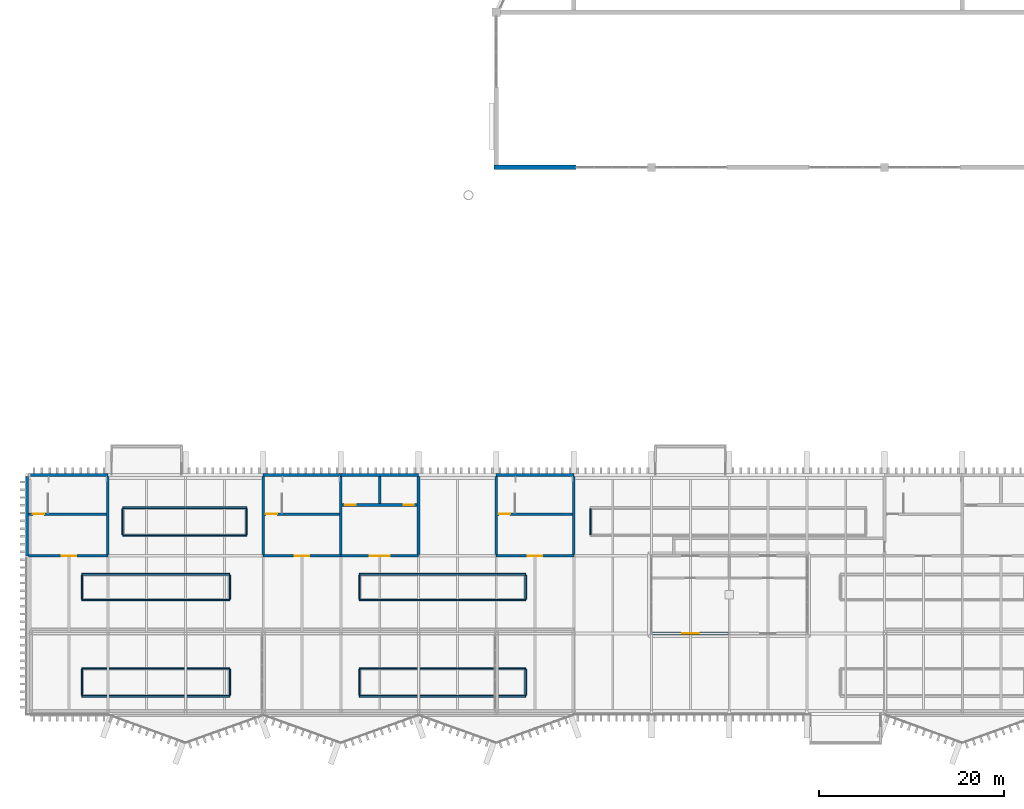
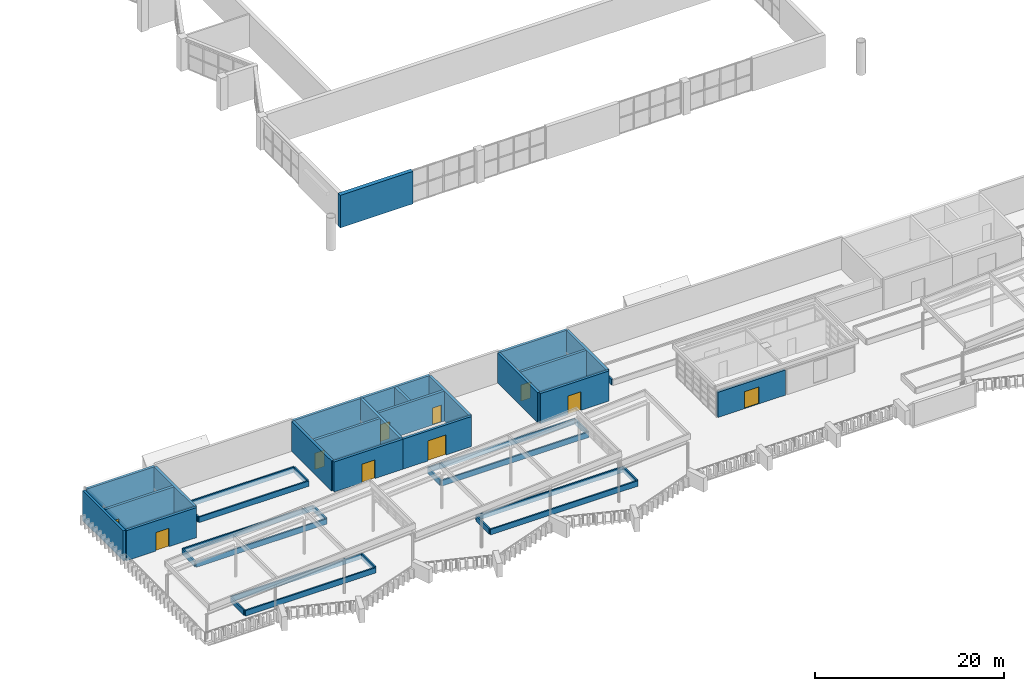
# One storey, part 34 of 51: 43 walls, 10 doors, 10 openings.
"""IFC4 building model written with IfcOpenShell, lengths in metres."""

from ifc_helpers import new_model, si_unit, direction, frame, frame_2d, origin, place, context, subcontext, project, spatial, rectangle, extrude, material, layer, layer_set, type_object, element, fill, save


model = new_model("IFC4")

# Units and contexts
model_context = context("Model", 3, precision=1e-05, world=origin(), true_north=direction((0.0, 1.0)))
body_context = subcontext(model_context, "Body", "Model", "MODEL_VIEW")
ifc_project = project(units=[si_unit("LENGTHUNIT", "METRE"), si_unit("AREAUNIT", "SQUARE_METRE"), si_unit("VOLUMEUNIT", "CUBIC_METRE"), si_unit("PLANEANGLEUNIT", "RADIAN"), si_unit("MASSUNIT", "GRAM", prefix="KILO")], contexts=[model_context])

# Site, building, storey
site_placement = place(None, origin())
site = spatial("IfcSite", under=ifc_project, at=site_placement, CompositionType="ELEMENT")
building_placement = place(site_placement, origin())
building = spatial("IfcBuilding", under=site, at=building_placement, Name="Cresset Court Congress Hotel", CompositionType="ELEMENT")
storey_placement = place(building_placement, frame((0.0, 0.0, 18.60009765625)))
storey = spatial("IfcBuildingStorey", under=building, at=storey_placement, Name="L04", CompositionType="ELEMENT", Elevation=18.60009765625)

# Walls
ifc_material_1 = material(Name="Concrete C50", Category="concrete")
ifc_layer_1 = layer(ifc_material_1, 0.300048828125)
ifc_layer_set_1 = layer_set([ifc_layer_1], Name="Core wall 300 Concrete C50")
wall_type_1 = type_object("IfcWallType", Name="Core wall 300 Concrete C50", PredefinedType="SHEAR", material=ifc_layer_set_1)
for number, where, z_axis, x_axis, name in (
    (1, (42.0, 16.949951171875, 0.0), (0.0, 0.0, 1.0), (0.0, 1.0, 0.0), "Core wall LC-B1"),
    (2, (50.39990234375, 16.949951171875, 0.0), (0.0, 0.0, 1.0), (0.0, 1.0, 0.0), "Core wall LC-B1"),
):
    element("IfcWall", number, at=place(storey_placement, frame(where, z_axis=z_axis, x_axis=x_axis)), inside=storey, type_object=wall_type_1, Name=name, PredefinedType="SHEAR", context=body_context, shape_type="SweptSolid", body=[
        extrude(rectangle(XDim=8.449951171875, YDim=0.300048828125, at=frame_2d((4.22509765625, 0.0))), origin(), (0.0, 0.0, 1.0), 3.889892578125),
    ])

# Wall, opening, door
wall_1_placement = place(storey_placement, frame((42.0, 16.800048828125, 0.0), z_axis=(0.0, 0.0, 1.0), x_axis=(1.0, 0.0, 0.0)))
wall_1 = element("IfcWall", 3, at=wall_1_placement, inside=storey, type_object=wall_type_1, Name="Core wall LC-B1", PredefinedType="SHEAR", context=body_context, shape_type="SweptSolid", body=[
    extrude(rectangle(XDim=8.39990234375, YDim=0.300048828125, at=frame_2d((4.199951171875, 0.0))), origin(), (0.0, 0.0, 1.0), 3.889892578125),
])
opening_1_placement = place(wall_1_placement, frame((3.10009765625, 0.0, 0.0)))
opening_1 = element("IfcOpeningElement", 4, at=opening_1_placement, cuts=wall_1, Name="Opening DB-04-02", PredefinedType="OPENING", context=body_context, shape_type="SweptSolid", body=[
    extrude(rectangle(XDim=2.199951171875, YDim=2.60009765625, at=frame_2d((1.10009765625, 1.300048828125))), frame((0.0, 0.159912109375, 0.0), z_axis=(0.0, -1.0, 0.0), x_axis=(1.0, 0.0, 0.0)), (0.0, 0.0, 1.0), 0.320068359375),
])
ifc_material_2 = material(Name="Aluminium frame with toughened glass", Category="aluminium")
door_type_1 = type_object("IfcDoorType", Name="Lift head glazed door 2200x2600", OperationType="DOUBLE_DOOR_SINGLE_SWING", PredefinedType="DOOR", material=ifc_material_2)
door_1_placement = place(opening_1_placement, origin())
door_1 = element("IfcDoor", 5, at=door_1_placement, inside=storey, type_object=door_type_1, Name="Roof door LC-B1", OperationType="DOUBLE_DOOR_SINGLE_SWING", OverallHeight=2.60009765625, OverallWidth=2.199951171875, PredefinedType="DOOR", context=body_context, shape_type="SweptSolid", body=[
    extrude(rectangle(XDim=2.199951171875, YDim=2.60009765625, at=frame_2d((1.10009765625, 1.300048828125))), frame((0.0, 0.02490234375, 0.0), z_axis=(0.0, -1.0, 0.0), x_axis=(1.0, 0.0, 0.0)), (0.0, 0.0, 1.0), 0.050048828125),
])
fill(opening_1, door_1)

# Wall, openings, doors
wall_2_placement = place(storey_placement, frame((42.14990234375, 22.300048828125, 0.0), z_axis=(0.0, 0.0, 1.0), x_axis=(1.0, 0.0, 0.0)))
wall_2 = element("IfcWall", 6, at=wall_2_placement, inside=storey, type_object=wall_type_1, Name="Core wall LC-B1", PredefinedType="SHEAR", context=body_context, shape_type="SweptSolid", body=[
    extrude(rectangle(XDim=8.10009765625, YDim=0.300048828125, at=frame_2d((4.050048828125, 0.0))), origin(), (0.0, 0.0, 1.0), 3.889892578125),
])
opening_2_placement = place(wall_2_placement, frame((0.35009765625, 0.0, 0.0)))
opening_2 = element("IfcOpeningElement", 7, at=opening_2_placement, cuts=wall_2, Name="Opening LD-B1-11", PredefinedType="OPENING", context=body_context, shape_type="SweptSolid", body=[
    extrude(rectangle(XDim=1.10009765625, YDim=2.199951171875, at=frame_2d((0.550048828125, 1.10009765625))), frame((0.0, 0.159912109375, 0.0), z_axis=(0.0, -1.0, 0.0), x_axis=(1.0, 0.0, 0.0)), (0.0, 0.0, 1.0), 0.320068359375),
])
opening_3_placement = place(wall_2_placement, frame((6.64990234375, 0.0, 0.0)))
opening_3 = element("IfcOpeningElement", 8, at=opening_3_placement, cuts=wall_2, Name="Opening LD-B1-12", PredefinedType="OPENING", context=body_context, shape_type="SweptSolid", body=[
    extrude(rectangle(XDim=1.10009765625, YDim=2.199951171875, at=frame_2d((0.550048828125, 1.10009765625))), frame((0.0, 0.159912109375, 0.0), z_axis=(0.0, -1.0, 0.0), x_axis=(1.0, 0.0, 0.0)), (0.0, 0.0, 1.0), 0.320068359375),
])
ifc_material_3 = material(Name="Stainless steel", Category="steel")
door_type_2 = type_object("IfcDoorType", Name="Lift landing door sliding 1100x2200", OperationType="SLIDING_TO_LEFT", PredefinedType="DOOR", material=ifc_material_3)
door_2_placement = place(opening_2_placement, origin())
door_2 = element("IfcDoor", 9, at=door_2_placement, inside=storey, type_object=door_type_2, Name="Lift landing door LD-B1-11", OperationType="SLIDING_TO_LEFT", OverallHeight=2.199951171875, OverallWidth=1.10009765625, PredefinedType="DOOR", context=body_context, shape_type="SweptSolid", body=[
    extrude(rectangle(XDim=1.10009765625, YDim=2.199951171875, at=frame_2d((0.550048828125, 1.10009765625))), frame((0.0, 0.02490234375, 0.0), z_axis=(0.0, -1.0, 0.0), x_axis=(1.0, 0.0, 0.0)), (0.0, 0.0, 1.0), 0.050048828125),
])
fill(opening_2, door_2)
door_3_placement = place(opening_3_placement, origin())
door_3 = element("IfcDoor", 10, at=door_3_placement, inside=storey, type_object=door_type_2, Name="Lift landing door LD-B1-12", OperationType="SLIDING_TO_LEFT", OverallHeight=2.199951171875, OverallWidth=1.10009765625, PredefinedType="DOOR", context=body_context, shape_type="SweptSolid", body=[
    extrude(rectangle(XDim=1.10009765625, YDim=2.199951171875, at=frame_2d((0.550048828125, 1.10009765625))), frame((0.0, 0.02490234375, 0.0), z_axis=(0.0, -1.0, 0.0), x_axis=(1.0, 0.0, 0.0)), (0.0, 0.0, 1.0), 0.050048828125),
])
fill(opening_3, door_3)

# Walls
wall_3_placement = place(storey_placement, frame((46.199951171875, 22.449951171875, 0.0), z_axis=(0.0, 0.0, 1.0), x_axis=(0.0, 1.0, 0.0)))
element("IfcWall", 11, at=wall_3_placement, inside=storey, type_object=wall_type_1, Name="Core wall LC-B1", PredefinedType="SHEAR", context=body_context, shape_type="SweptSolid", body=[
    extrude(rectangle(XDim=2.949951171875, YDim=0.300048828125, at=frame_2d((1.47509765625, 0.0))), origin(), (0.0, 0.0, 1.0), 3.889892578125),
])
wall_4_placement = place(storey_placement, frame((16.800048828125, 16.949951171875, 0.0), z_axis=(0.0, 0.0, 1.0), x_axis=(0.0, 1.0, 0.0)))
element("IfcWall", 12, at=wall_4_placement, inside=storey, type_object=wall_type_1, Name="Core wall ST-B1", PredefinedType="SHEAR", context=body_context, shape_type="SweptSolid", body=[
    extrude(rectangle(XDim=8.449951171875, YDim=0.300048828125, at=frame_2d((4.22509765625, 0.0))), origin(), (0.0, 0.0, 1.0), 3.889892578125),
])

# Wall, opening, door
wall_5_placement = place(storey_placement, frame((8.199951171875, 16.800048828125, 0.0), z_axis=(0.0, 0.0, 1.0), x_axis=(1.0, 0.0, 0.0)))
wall_5 = element("IfcWall", 13, at=wall_5_placement, inside=storey, type_object=wall_type_1, Name="Core wall ST-B1", PredefinedType="SHEAR", context=body_context, shape_type="SweptSolid", body=[
    extrude(rectangle(XDim=8.60009765625, YDim=0.300048828125, at=frame_2d((4.300048828125, 0.0))), origin(), (0.0, 0.0, 1.0), 3.889892578125),
])
opening_4_placement = place(wall_5_placement, frame((3.60009765625, 0.0, 0.0)))
opening_4 = element("IfcOpeningElement", 14, at=opening_4_placement, cuts=wall_5, Name="Opening DB-04-12", PredefinedType="OPENING", context=body_context, shape_type="SweptSolid", body=[
    extrude(rectangle(XDim=1.60009765625, YDim=2.39990234375, at=frame_2d((0.800048828125, 1.199951171875))), frame((0.0, 0.159912109375, 0.0), z_axis=(0.0, -1.0, 0.0), x_axis=(1.0, 0.0, 0.0)), (0.0, 0.0, 1.0), 0.320068359375),
])
ifc_material_4 = material(Name="Timber and steel frame", Category="steel")
door_type_3 = type_object("IfcDoorType", Name="Roof exit double door FD60 1600x2400", OperationType="DOUBLE_DOOR_SINGLE_SWING", PredefinedType="DOOR", material=ifc_material_4)
door_4_placement = place(opening_4_placement, origin())
door_4 = element("IfcDoor", 15, at=door_4_placement, inside=storey, type_object=door_type_3, Name="Roof door ST-B1", OperationType="DOUBLE_DOOR_SINGLE_SWING", OverallHeight=2.39990234375, OverallWidth=1.60009765625, PredefinedType="DOOR", context=body_context, shape_type="SweptSolid", body=[
    extrude(rectangle(XDim=1.60009765625, YDim=2.39990234375, at=frame_2d((0.800048828125, 1.199951171875))), frame((0.0, 0.02490234375, 0.0), z_axis=(0.0, -1.0, 0.0), x_axis=(1.0, 0.0, 0.0)), (0.0, 0.0, 1.0), 0.050048828125),
])
fill(opening_4, door_4)

wall_6_placement = place(storey_placement, frame((8.199951171875, 21.300048828125, 0.0), z_axis=(0.0, 0.0, 1.0), x_axis=(1.0, 0.0, 0.0)))
wall_6 = element("IfcWall", 16, at=wall_6_placement, inside=storey, type_object=wall_type_1, Name="Core wall ST-B1", PredefinedType="SHEAR", context=body_context, shape_type="SweptSolid", body=[
    extrude(rectangle(XDim=8.449951171875, YDim=0.300048828125, at=frame_2d((4.22509765625, 0.0))), origin(), (0.0, 0.0, 1.0), 3.889892578125),
])
opening_5_placement = place(wall_6_placement, frame((0.5, 0.0, 0.0)))
opening_5 = element("IfcOpeningElement", 17, at=opening_5_placement, cuts=wall_6, Name="Opening DB-04-11", PredefinedType="OPENING", context=body_context, shape_type="SweptSolid", body=[
    extrude(rectangle(XDim=1.199951171875, YDim=2.10009765625, at=frame_2d((0.60009765625, 1.050048828125))), frame((0.0, 0.159912109375, 0.0), z_axis=(0.0, -1.0, 0.0), x_axis=(1.0, 0.0, 0.0)), (0.0, 0.0, 1.0), 0.320068359375),
])
ifc_material_5 = material(Name="Timber and steel frame", Category="steel")
door_type_4 = type_object("IfcDoorType", Name="Stair fire door FD60 1200x2100", OperationType="SINGLE_SWING_LEFT", PredefinedType="DOOR", material=ifc_material_5)
door_5_placement = place(opening_5_placement, origin())
door_5 = element("IfcDoor", 18, at=door_5_placement, inside=storey, type_object=door_type_4, Name="Stair door ST-B1", OperationType="SINGLE_SWING_LEFT", OverallHeight=2.10009765625, OverallWidth=1.199951171875, PredefinedType="DOOR", context=body_context, shape_type="SweptSolid", body=[
    extrude(rectangle(XDim=1.199951171875, YDim=2.10009765625, at=frame_2d((0.60009765625, 1.050048828125))), frame((0.0, 0.02490234375, 0.0), z_axis=(0.0, -1.0, 0.0), x_axis=(1.0, 0.0, 0.0)), (0.0, 0.0, 1.0), 0.050048828125),
])
fill(opening_5, door_5)

# Wall
wall_7_placement = place(storey_placement, frame((33.60009765625, 16.949951171875, 0.0), z_axis=(0.0, 0.0, 1.0), x_axis=(0.0, 1.0, 0.0)))
element("IfcWall", 19, at=wall_7_placement, inside=storey, type_object=wall_type_1, Name="Core wall ST-B2", PredefinedType="SHEAR", context=body_context, shape_type="SweptSolid", body=[
    extrude(rectangle(XDim=8.449951171875, YDim=0.300048828125, at=frame_2d((4.22509765625, 0.0))), origin(), (0.0, 0.0, 1.0), 3.889892578125),
])

# Wall, opening, door
wall_8_placement = place(storey_placement, frame((33.60009765625, 16.800048828125, 0.0), z_axis=(0.0, 0.0, 1.0), x_axis=(1.0, 0.0, 0.0)))
wall_8 = element("IfcWall", 20, at=wall_8_placement, inside=storey, type_object=wall_type_1, Name="Core wall ST-B2", PredefinedType="SHEAR", context=body_context, shape_type="SweptSolid", body=[
    extrude(rectangle(XDim=8.39990234375, YDim=0.300048828125, at=frame_2d((4.199951171875, 0.0))), origin(), (0.0, 0.0, 1.0), 3.889892578125),
])
opening_6_placement = place(wall_8_placement, frame((3.39990234375, 0.0, 0.0)))
opening_6 = element("IfcOpeningElement", 21, at=opening_6_placement, cuts=wall_8, Name="Opening DB-04-14", PredefinedType="OPENING", context=body_context, shape_type="SweptSolid", body=[
    extrude(rectangle(XDim=1.60009765625, YDim=2.39990234375, at=frame_2d((0.800048828125, 1.199951171875))), frame((0.0, 0.159912109375, 0.0), z_axis=(0.0, -1.0, 0.0), x_axis=(1.0, 0.0, 0.0)), (0.0, 0.0, 1.0), 0.320068359375),
])
door_6_placement = place(opening_6_placement, origin())
door_6 = element("IfcDoor", 22, at=door_6_placement, inside=storey, type_object=door_type_3, Name="Roof door ST-B2", OperationType="DOUBLE_DOOR_SINGLE_SWING", OverallHeight=2.39990234375, OverallWidth=1.60009765625, PredefinedType="DOOR", context=body_context, shape_type="SweptSolid", body=[
    extrude(rectangle(XDim=1.60009765625, YDim=2.39990234375, at=frame_2d((0.800048828125, 1.199951171875))), frame((0.0, 0.02490234375, 0.0), z_axis=(0.0, -1.0, 0.0), x_axis=(1.0, 0.0, 0.0)), (0.0, 0.0, 1.0), 0.050048828125),
])
fill(opening_6, door_6)

wall_9_placement = place(storey_placement, frame((33.75, 21.300048828125, 0.0), z_axis=(0.0, 0.0, 1.0), x_axis=(1.0, 0.0, 0.0)))
wall_9 = element("IfcWall", 23, at=wall_9_placement, inside=storey, type_object=wall_type_1, Name="Core wall ST-B2", PredefinedType="SHEAR", context=body_context, shape_type="SweptSolid", body=[
    extrude(rectangle(XDim=8.10009765625, YDim=0.300048828125, at=frame_2d((4.050048828125, 0.0))), origin(), (0.0, 0.0, 1.0), 3.889892578125),
])
opening_7_placement = place(wall_9_placement, frame((0.14990234375, 0.0, 0.0)))
opening_7 = element("IfcOpeningElement", 24, at=opening_7_placement, cuts=wall_9, Name="Opening DB-04-13", PredefinedType="OPENING", context=body_context, shape_type="SweptSolid", body=[
    extrude(rectangle(XDim=1.199951171875, YDim=2.10009765625, at=frame_2d((0.60009765625, 1.050048828125))), frame((0.0, 0.159912109375, 0.0), z_axis=(0.0, -1.0, 0.0), x_axis=(1.0, 0.0, 0.0)), (0.0, 0.0, 1.0), 0.320068359375),
])
door_7_placement = place(opening_7_placement, origin())
door_7 = element("IfcDoor", 25, at=door_7_placement, inside=storey, type_object=door_type_4, Name="Stair door ST-B2", OperationType="SINGLE_SWING_LEFT", OverallHeight=2.10009765625, OverallWidth=1.199951171875, PredefinedType="DOOR", context=body_context, shape_type="SweptSolid", body=[
    extrude(rectangle(XDim=1.199951171875, YDim=2.10009765625, at=frame_2d((0.60009765625, 1.050048828125))), frame((0.0, 0.02490234375, 0.0), z_axis=(0.0, -1.0, 0.0), x_axis=(1.0, 0.0, 0.0)), (0.0, 0.0, 1.0), 0.050048828125),
])
fill(opening_7, door_7)

# Walls
for number, where, z_axis, x_axis, name in (
    (26, (58.800048828125, 16.949951171875, 0.0), (0.0, 0.0, 1.0), (0.0, 1.0, 0.0), "Core wall ST-B3"),
    (27, (67.199951171875, 16.949951171875, 0.0), (0.0, 0.0, 1.0), (0.0, 1.0, 0.0), "Core wall ST-B3"),
):
    element("IfcWall", number, at=place(storey_placement, frame(where, z_axis=z_axis, x_axis=x_axis)), inside=storey, type_object=wall_type_1, Name=name, PredefinedType="SHEAR", context=body_context, shape_type="SweptSolid", body=[
        extrude(rectangle(XDim=8.449951171875, YDim=0.300048828125, at=frame_2d((4.22509765625, 0.0))), origin(), (0.0, 0.0, 1.0), 3.889892578125),
    ])

# Wall, opening, door
wall_10_placement = place(storey_placement, frame((58.800048828125, 16.800048828125, 0.0), z_axis=(0.0, 0.0, 1.0), x_axis=(1.0, 0.0, 0.0)))
wall_10 = element("IfcWall", 28, at=wall_10_placement, inside=storey, type_object=wall_type_1, Name="Core wall ST-B3", PredefinedType="SHEAR", context=body_context, shape_type="SweptSolid", body=[
    extrude(rectangle(XDim=8.39990234375, YDim=0.300048828125, at=frame_2d((4.199951171875, 0.0))), origin(), (0.0, 0.0, 1.0), 3.889892578125),
])
opening_8_placement = place(wall_10_placement, frame((3.39990234375, 0.0, 0.0)))
opening_8 = element("IfcOpeningElement", 29, at=opening_8_placement, cuts=wall_10, Name="Opening DB-04-16", PredefinedType="OPENING", context=body_context, shape_type="SweptSolid", body=[
    extrude(rectangle(XDim=1.60009765625, YDim=2.39990234375, at=frame_2d((0.800048828125, 1.199951171875))), frame((0.0, 0.159912109375, 0.0), z_axis=(0.0, -1.0, 0.0), x_axis=(1.0, 0.0, 0.0)), (0.0, 0.0, 1.0), 0.320068359375),
])
door_8_placement = place(opening_8_placement, origin())
door_8 = element("IfcDoor", 30, at=door_8_placement, inside=storey, type_object=door_type_3, Name="Roof door ST-B3", OperationType="DOUBLE_DOOR_SINGLE_SWING", OverallHeight=2.39990234375, OverallWidth=1.60009765625, PredefinedType="DOOR", context=body_context, shape_type="SweptSolid", body=[
    extrude(rectangle(XDim=1.60009765625, YDim=2.39990234375, at=frame_2d((0.800048828125, 1.199951171875))), frame((0.0, 0.02490234375, 0.0), z_axis=(0.0, -1.0, 0.0), x_axis=(1.0, 0.0, 0.0)), (0.0, 0.0, 1.0), 0.050048828125),
])
fill(opening_8, door_8)

wall_11_placement = place(storey_placement, frame((58.949951171875, 21.300048828125, 0.0), z_axis=(0.0, 0.0, 1.0), x_axis=(1.0, 0.0, 0.0)))
wall_11 = element("IfcWall", 31, at=wall_11_placement, inside=storey, type_object=wall_type_1, Name="Core wall ST-B3", PredefinedType="SHEAR", context=body_context, shape_type="SweptSolid", body=[
    extrude(rectangle(XDim=8.10009765625, YDim=0.300048828125, at=frame_2d((4.050048828125, 0.0))), origin(), (0.0, 0.0, 1.0), 3.889892578125),
])
opening_9_placement = place(wall_11_placement, frame((0.14990234375, 0.0, 0.0)))
opening_9 = element("IfcOpeningElement", 32, at=opening_9_placement, cuts=wall_11, Name="Opening DB-04-15", PredefinedType="OPENING", context=body_context, shape_type="SweptSolid", body=[
    extrude(rectangle(XDim=1.199951171875, YDim=2.10009765625, at=frame_2d((0.60009765625, 1.050048828125))), frame((0.0, 0.159912109375, 0.0), z_axis=(0.0, -1.0, 0.0), x_axis=(1.0, 0.0, 0.0)), (0.0, 0.0, 1.0), 0.320068359375),
])
door_9_placement = place(opening_9_placement, origin())
door_9 = element("IfcDoor", 33, at=door_9_placement, inside=storey, type_object=door_type_4, Name="Stair door ST-B3", OperationType="SINGLE_SWING_LEFT", OverallHeight=2.10009765625, OverallWidth=1.199951171875, PredefinedType="DOOR", context=body_context, shape_type="SweptSolid", body=[
    extrude(rectangle(XDim=1.199951171875, YDim=2.10009765625, at=frame_2d((0.60009765625, 1.050048828125))), frame((0.0, 0.02490234375, 0.0), z_axis=(0.0, -1.0, 0.0), x_axis=(1.0, 0.0, 0.0)), (0.0, 0.0, 1.0), 0.050048828125),
])
fill(opening_9, door_9)

# Walls
ifc_material_6 = material(Name="Concrete C50", Category="concrete")
ifc_layer_2 = layer(ifc_material_6, 0.300048828125)
ifc_layer_set_2 = layer_set([ifc_layer_2], Name="Core wall 300 Concrete C50 external")
wall_type_2 = type_object("IfcWallType", Name="Core wall 300 Concrete C50 external", PredefinedType="SHEAR", material=ifc_layer_set_2)
wall_12_placement = place(storey_placement, frame((42.0, 25.550048828125, 0.0), z_axis=(0.0, 0.0, 1.0), x_axis=(1.0, 0.0, 0.0)))
element("IfcWall", 34, at=wall_12_placement, inside=storey, type_object=wall_type_2, Name="Core wall LC-B1", PredefinedType="SHEAR", context=body_context, shape_type="SweptSolid", body=[
    extrude(rectangle(XDim=8.39990234375, YDim=0.300048828125, at=frame_2d((4.199951171875, 0.0))), origin(), (0.0, 0.0, 1.0), 3.889892578125),
])
wall_13_placement = place(storey_placement, frame((8.050048828125, 16.800048828125, 0.0), z_axis=(0.0, 0.0, 1.0), x_axis=(0.0, 1.0, 0.0)))
element("IfcWall", 35, at=wall_13_placement, inside=storey, type_object=wall_type_2, Name="Core wall ST-B1", PredefinedType="SHEAR", context=body_context, shape_type="SweptSolid", body=[
    extrude(rectangle(XDim=8.599853515625, YDim=0.300048828125, at=frame_2d((4.2998046875, 0.0))), origin(), (0.0, 0.0, 1.0), 3.889892578125),
])
wall_14_placement = place(storey_placement, frame((8.39990234375, 25.550048828125, 0.0), z_axis=(0.0, 0.0, 1.0), x_axis=(1.0, 0.0, 0.0)))
element("IfcWall", 36, at=wall_14_placement, inside=storey, type_object=wall_type_2, Name="Core wall ST-B1", PredefinedType="SHEAR", context=body_context, shape_type="SweptSolid", body=[
    extrude(rectangle(XDim=8.400146484375, YDim=0.300048828125, at=frame_2d((4.2001953125, 0.0))), origin(), (0.0, 0.0, 1.0), 3.889892578125),
])
for number, where, z_axis, x_axis, name in (
    (37, (33.60009765625, 25.550048828125, 0.0), (0.0, 0.0, 1.0), (1.0, 0.0, 0.0), "Core wall ST-B2"),
    (38, (58.800048828125, 25.550048828125, 0.0), (0.0, 0.0, 1.0), (1.0, 0.0, 0.0), "Core wall ST-B3"),
):
    element("IfcWall", number, at=place(storey_placement, frame(where, z_axis=z_axis, x_axis=x_axis)), inside=storey, type_object=wall_type_2, Name=name, PredefinedType="SHEAR", context=body_context, shape_type="SweptSolid", body=[
        extrude(rectangle(XDim=8.39990234375, YDim=0.300048828125, at=frame_2d((4.199951171875, 0.0))), origin(), (0.0, 0.0, 1.0), 3.889892578125),
    ])

# Wall, opening, door
ifc_material_7 = material(Name="Concrete C40", Category="concrete")
ifc_layer_3 = layer(ifc_material_7, 0.300048828125)
ifc_layer_set_3 = layer_set([ifc_layer_3], Name="External wall 300 Concrete C40")
wall_type_3 = type_object("IfcWallType", Name="External wall 300 Concrete C40", PredefinedType="SOLIDWALL", material=ifc_layer_set_3)
wall_15_placement = place(storey_placement, frame((75.68408203125, 8.39990234375, 0.0), z_axis=(0.0, 0.0, 1.0), x_axis=(1.0, 0.0, 0.0)))
wall_15 = element("IfcWall", 39, at=wall_15_placement, inside=storey, type_object=wall_type_3, Name="Pavilion wall", PredefinedType="SOLIDWALL", context=body_context, shape_type="SweptSolid", body=[
    extrude(rectangle(XDim=8.23193359375, YDim=0.300048828125, at=frame_2d((4.115966796875, 0.0))), origin(), (0.0, 0.0, 1.0), 3.25390625),
])
opening_10_placement = place(wall_15_placement, frame((3.216064453125, 0.0, 0.0)))
opening_10 = element("IfcOpeningElement", 40, at=opening_10_placement, cuts=wall_15, Name="Opening DB-04-23", PredefinedType="OPENING", context=body_context, shape_type="SweptSolid", body=[
    extrude(rectangle(XDim=1.800048828125, YDim=2.199951171875, at=frame_2d((0.89990234375, 1.10009765625))), frame((0.0, 0.159912109375, 0.0), z_axis=(0.0, -1.0, 0.0), x_axis=(1.0, 0.0, 0.0)), (0.0, 0.0, 1.0), 0.320068359375),
])
ifc_material_8 = material(Name="Aluminium frame with toughened glass", Category="aluminium")
door_type_5 = type_object("IfcDoorType", Name="Terrace door glazed double 1800x2200", OperationType="DOUBLE_DOOR_SINGLE_SWING", PredefinedType="DOOR", material=ifc_material_8)
door_10_placement = place(opening_10_placement, origin())
door_10 = element("IfcDoor", 41, at=door_10_placement, inside=storey, type_object=door_type_5, Name="Pavilion door", OperationType="DOUBLE_DOOR_SINGLE_SWING", OverallHeight=2.199951171875, OverallWidth=1.800048828125, PredefinedType="DOOR", context=body_context, shape_type="SweptSolid", body=[
    extrude(rectangle(XDim=1.800048828125, YDim=2.199951171875, at=frame_2d((0.89990234375, 1.10009765625))), frame((0.0, 0.02490234375, 0.0), z_axis=(0.0, -1.0, 0.0), x_axis=(1.0, 0.0, 0.0)), (0.0, 0.0, 1.0), 0.050048828125),
])
fill(opening_10, door_10)

# Walls
ifc_material_9 = material(Name="Limestone-faced precast concrete C50", Category="masonry")
ifc_layer_4 = layer(ifc_material_9, 0.5)
ifc_layer_set_4 = layer_set([ifc_layer_4], Name="Hall perimeter wall 500")
wall_type_4 = type_object("IfcWallType", Name="Hall perimeter wall 500", PredefinedType="SOLIDWALL", material=ifc_layer_set_4)
wall_16_placement = place(storey_placement, frame((67.449951171875, 58.800048828125, 0.0), z_axis=(0.0, 0.0, 1.0), x_axis=(-1.0, 0.0, 0.0)))
element("IfcWall", 42, at=wall_16_placement, inside=storey, type_object=wall_type_4, Name="Wall CW-SL04-1", PredefinedType="SOLIDWALL", context=body_context, shape_type="SweptSolid", body=[
    extrude(rectangle(XDim=8.89990234375, YDim=0.5, at=frame_2d((4.449951171875, 0.0))), origin(), (0.0, 0.0, 1.0), 4.199951171875),
])
ifc_material_10 = material(Name="Concrete C35", Category="concrete")
ifc_layer_5 = layer(ifc_material_10, 0.179931640625)
ifc_layer_set_5 = layer_set([ifc_layer_5], Name="Planter wall 180 Concrete C35")
wall_type_5 = type_object("IfcWallType", Name="Planter wall 180 Concrete C35", PredefinedType="SOLIDWALL", material=ifc_layer_set_5)
for number, where, z_axis, x_axis, name in (
    (43, (14.0, 1.60009765625, 0.0), (0.0, 0.0, 1.0), (1.0, 0.0, 0.0), "Planter wall"),
    (44, (14.0, 4.60009765625, 0.0), (0.0, 0.0, 1.0), (1.0, 0.0, 0.0), "Planter wall"),
):
    element("IfcWall", number, at=place(storey_placement, frame(where, z_axis=z_axis, x_axis=x_axis)), inside=storey, type_object=wall_type_5, Name=name, PredefinedType="SOLIDWALL", context=body_context, shape_type="SweptSolid", body=[
        extrude(rectangle(XDim=16.0, YDim=0.179931640625, at=frame_2d((8.0, 0.0))), origin(), (0.0, 0.0, 1.0), 0.699951171875),
    ])
for number, where, z_axis, x_axis, name in (
    (45, (14.0, 1.68994140625, 0.0), (0.0, 0.0, 1.0), (0.0, 1.0, 0.0), "Planter wall"),
    (46, (30.0, 1.68994140625, 0.0), (0.0, 0.0, 1.0), (0.0, 1.0, 0.0), "Planter wall"),
):
    element("IfcWall", number, at=place(storey_placement, frame(where, z_axis=z_axis, x_axis=x_axis)), inside=storey, type_object=wall_type_5, Name=name, PredefinedType="SOLIDWALL", context=body_context, shape_type="SweptSolid", body=[
        extrude(rectangle(XDim=2.820068359375, YDim=0.179931640625, at=frame_2d((1.41015625, 0.0))), origin(), (0.0, 0.0, 1.0), 0.699951171875),
    ])
for number, where, z_axis, x_axis, name in (
    (47, (44.0, 1.60009765625, 0.0), (0.0, 0.0, 1.0), (1.0, 0.0, 0.0), "Planter wall"),
    (48, (44.0, 4.60009765625, 0.0), (0.0, 0.0, 1.0), (1.0, 0.0, 0.0), "Planter wall"),
):
    element("IfcWall", number, at=place(storey_placement, frame(where, z_axis=z_axis, x_axis=x_axis)), inside=storey, type_object=wall_type_5, Name=name, PredefinedType="SOLIDWALL", context=body_context, shape_type="SweptSolid", body=[
        extrude(rectangle(XDim=18.0, YDim=0.179931640625, at=frame_2d((9.0, 0.0))), origin(), (0.0, 0.0, 1.0), 0.699951171875),
    ])
for number, where, z_axis, x_axis, name in (
    (49, (44.0, 1.68994140625, 0.0), (0.0, 0.0, 1.0), (0.0, 1.0, 0.0), "Planter wall"),
    (50, (62.0, 1.68994140625, 0.0), (0.0, 0.0, 1.0), (0.0, 1.0, 0.0), "Planter wall"),
):
    element("IfcWall", number, at=place(storey_placement, frame(where, z_axis=z_axis, x_axis=x_axis)), inside=storey, type_object=wall_type_5, Name=name, PredefinedType="SOLIDWALL", context=body_context, shape_type="SweptSolid", body=[
        extrude(rectangle(XDim=2.820068359375, YDim=0.179931640625, at=frame_2d((1.41015625, 0.0))), origin(), (0.0, 0.0, 1.0), 0.699951171875),
    ])
for number, where, z_axis, x_axis, name in (
    (51, (14.0, 12.0, 0.0), (0.0, 0.0, 1.0), (1.0, 0.0, 0.0), "Planter wall"),
    (52, (14.0, 14.800048828125, 0.0), (0.0, 0.0, 1.0), (1.0, 0.0, 0.0), "Planter wall"),
):
    element("IfcWall", number, at=place(storey_placement, frame(where, z_axis=z_axis, x_axis=x_axis)), inside=storey, type_object=wall_type_5, Name=name, PredefinedType="SOLIDWALL", context=body_context, shape_type="SweptSolid", body=[
        extrude(rectangle(XDim=16.0, YDim=0.179931640625, at=frame_2d((8.0, 0.0))), origin(), (0.0, 0.0, 1.0), 0.699951171875),
    ])
for number, where, z_axis, x_axis, name in (
    (53, (14.0, 12.090087890625, 0.0), (0.0, 0.0, 1.0), (0.0, 1.0, 0.0), "Planter wall"),
    (54, (30.0, 12.090087890625, 0.0), (0.0, 0.0, 1.0), (0.0, 1.0, 0.0), "Planter wall"),
):
    element("IfcWall", number, at=place(storey_placement, frame(where, z_axis=z_axis, x_axis=x_axis)), inside=storey, type_object=wall_type_5, Name=name, PredefinedType="SOLIDWALL", context=body_context, shape_type="SweptSolid", body=[
        extrude(rectangle(XDim=2.619873046875, YDim=0.179931640625, at=frame_2d((1.31005859375, 0.0))), origin(), (0.0, 0.0, 1.0), 0.699951171875),
    ])
for number, where, z_axis, x_axis, name in (
    (55, (44.0, 12.0, 0.0), (0.0, 0.0, 1.0), (1.0, 0.0, 0.0), "Planter wall"),
    (56, (44.0, 14.800048828125, 0.0), (0.0, 0.0, 1.0), (1.0, 0.0, 0.0), "Planter wall"),
):
    element("IfcWall", number, at=place(storey_placement, frame(where, z_axis=z_axis, x_axis=x_axis)), inside=storey, type_object=wall_type_5, Name=name, PredefinedType="SOLIDWALL", context=body_context, shape_type="SweptSolid", body=[
        extrude(rectangle(XDim=18.0, YDim=0.179931640625, at=frame_2d((9.0, 0.0))), origin(), (0.0, 0.0, 1.0), 0.699951171875),
    ])
for number, where, z_axis, x_axis, name in (
    (57, (44.0, 12.090087890625, 0.0), (0.0, 0.0, 1.0), (0.0, 1.0, 0.0), "Planter wall"),
    (58, (62.0, 12.090087890625, 0.0), (0.0, 0.0, 1.0), (0.0, 1.0, 0.0), "Planter wall"),
):
    element("IfcWall", number, at=place(storey_placement, frame(where, z_axis=z_axis, x_axis=x_axis)), inside=storey, type_object=wall_type_5, Name=name, PredefinedType="SOLIDWALL", context=body_context, shape_type="SweptSolid", body=[
        extrude(rectangle(XDim=2.619873046875, YDim=0.179931640625, at=frame_2d((1.31005859375, 0.0))), origin(), (0.0, 0.0, 1.0), 0.699951171875),
    ])
for number, where, z_axis, x_axis, name in (
    (59, (18.39990234375, 19.0, 0.0), (0.0, 0.0, 1.0), (1.0, 0.0, 0.0), "Planter wall"),
    (60, (18.39990234375, 22.0, 0.0), (0.0, 0.0, 1.0), (1.0, 0.0, 0.0), "Planter wall"),
):
    element("IfcWall", number, at=place(storey_placement, frame(where, z_axis=z_axis, x_axis=x_axis)), inside=storey, type_object=wall_type_5, Name=name, PredefinedType="SOLIDWALL", context=body_context, shape_type="SweptSolid", body=[
        extrude(rectangle(XDim=13.400146484375, YDim=0.179931640625, at=frame_2d((6.7001953125, 0.0))), origin(), (0.0, 0.0, 1.0), 0.699951171875),
    ])
for number, where, z_axis, x_axis, name in (
    (61, (18.39990234375, 19.090087890625, 0.0), (0.0, 0.0, 1.0), (0.0, 1.0, 0.0), "Planter wall"),
    (62, (31.800048828125, 19.090087890625, 0.0), (0.0, 0.0, 1.0), (0.0, 1.0, 0.0), "Planter wall"),
    (63, (69.0, 19.090087890625, 0.0), (0.0, 0.0, 1.0), (0.0, 1.0, 0.0), "Planter wall"),
):
    element("IfcWall", number, at=place(storey_placement, frame(where, z_axis=z_axis, x_axis=x_axis)), inside=storey, type_object=wall_type_5, Name=name, PredefinedType="SOLIDWALL", context=body_context, shape_type="SweptSolid", body=[
        extrude(rectangle(XDim=2.81982421875, YDim=0.179931640625, at=frame_2d((1.409912109375, 0.0))), origin(), (0.0, 0.0, 1.0), 0.699951171875),
    ])

save(model, "model.ifc")
